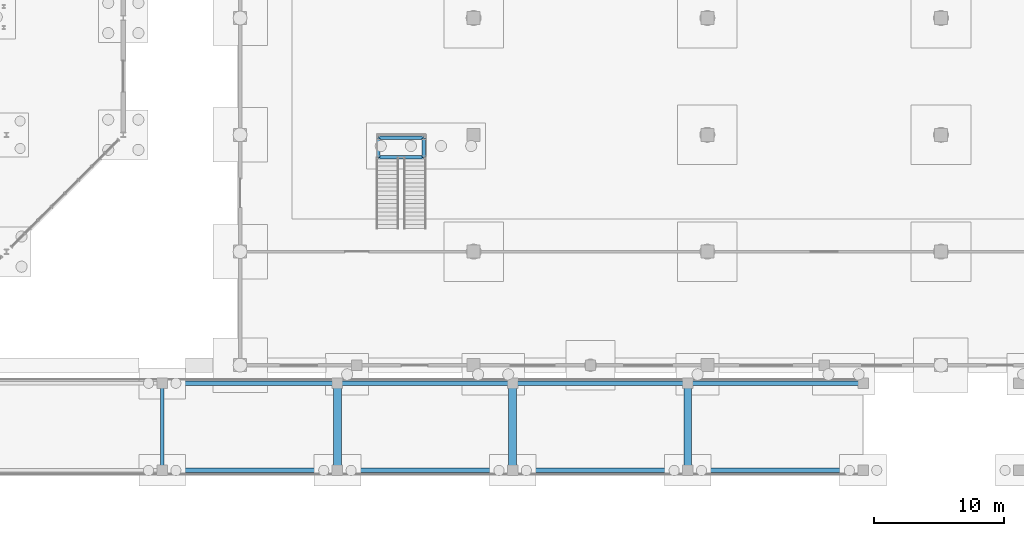
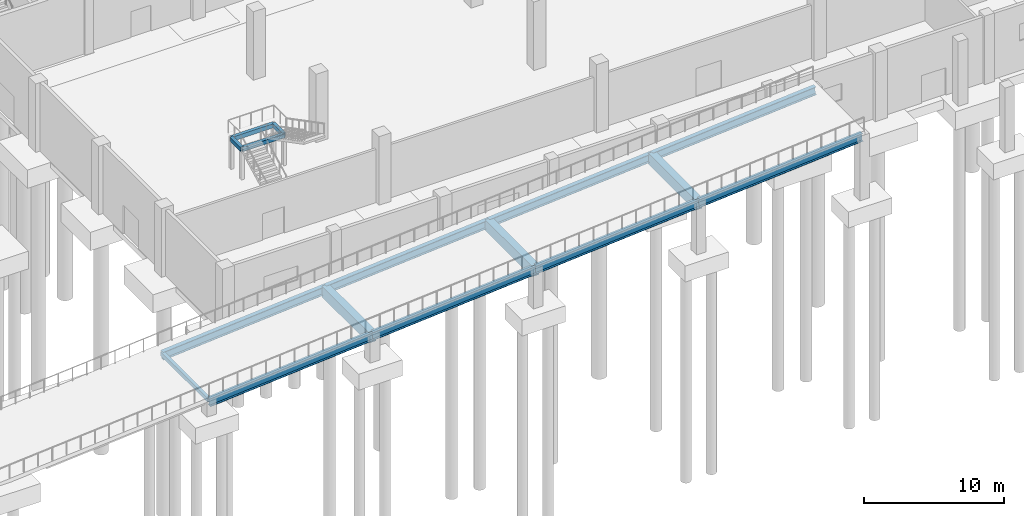
# One storey, part 43 of 131: 16 beams.
"""IFC4 building model written with IfcOpenShell, lengths in metres."""

from ifc_helpers import new_model, si_unit, direction, frame, origin, origin_2d, place, context, subcontext, project, spatial, rectangle, hollow_rectangle, i_section, extrude, material, material_profile, profile_set, type_object, element, save


model = new_model("IFC4")

# Units and contexts
model_context = context("Model", 3, precision=1e-05, world=origin(), true_north=direction((0.0, 1.0)))
body_context = subcontext(model_context, "Body", "Model", "MODEL_VIEW")
ifc_project = project(units=[si_unit("LENGTHUNIT", "METRE"), si_unit("AREAUNIT", "SQUARE_METRE"), si_unit("VOLUMEUNIT", "CUBIC_METRE"), si_unit("PLANEANGLEUNIT", "RADIAN"), si_unit("MASSUNIT", "GRAM", prefix="KILO")], contexts=[model_context])

# Site, building, storey
site_placement = place(None, origin())
site = spatial("IfcSite", under=ifc_project, at=site_placement, CompositionType="ELEMENT")
building_placement = place(site_placement, origin())
building = spatial("IfcBuilding", under=site, at=building_placement, Name="Cazmaro Siding Exhibition Halls", CompositionType="ELEMENT")
storey_placement = place(building_placement, origin())
storey = spatial("IfcBuildingStorey", under=building, at=storey_placement, Name="L00", CompositionType="ELEMENT", Elevation=0.0)

# Beams
ifc_material_1 = material(Name="Steel ASTM A500 Grade C", Category="steel")
ifc_material_profile_1 = material_profile(ifc_material_1, hollow_rectangle(XDim=0.25390625, YDim=0.35595703125, WallThickness=0.014892578125, at=origin_2d()), Name="HSS14X10X5/8")
ifc_profile_set_1 = profile_set([ifc_material_profile_1], Name="Steel ASTM A500 Grade C")
beam_type_1 = type_object("IfcBeamType", Name="B-06", PredefinedType="BEAM", material=ifc_profile_set_1)
beam_placement = place(storey_placement, frame((66.0, 1.14990234375, 1.14599609375), z_axis=(0.0, 1.0, 0.0), x_axis=(-1.0, 0.0, 0.0)))
element("IfcBeam", 1, at=beam_placement, inside=storey, type_object=beam_type_1, Name="Truck viaduct pier cap beam B-06 BM-2434", PredefinedType="BEAM", context=body_context, shape_type="SweptSolid", body=[
    extrude(hollow_rectangle(XDim=0.25390625, YDim=0.35595703125, WallThickness=0.014892578125, at=origin_2d()), origin(), (0.0, 0.0, 1.0), 6.7001953125),
])
for number, where, z_axis, x_axis, name in (
    (2, (82.64990234375, 25.27001953125, 2.6220703125), (1.0, 0.0, 0.0), (0.0, 1.0, 0.0), "Beam B-06 BM-2498"),
    (3, (82.64990234375, 26.77001953125, 2.6220703125), (1.0, 0.0, 0.0), (0.0, 1.0, 0.0), "Beam B-06 BM-2499"),
):
    element("IfcBeam", number, at=place(storey_placement, frame(where, z_axis=z_axis, x_axis=x_axis)), inside=storey, type_object=beam_type_1, Name=name, PredefinedType="BEAM", context=body_context, shape_type="SweptSolid", body=[
        extrude(hollow_rectangle(XDim=0.25390625, YDim=0.35595703125, WallThickness=0.014892578125, at=origin_2d()), origin(), (0.0, 0.0, 1.0), 3.5),
    ])
for number, where, z_axis, x_axis, name in (
    (4, (82.64990234375, 25.27001953125, 2.6220703125), (0.0, 1.0, 0.0), (-1.0, 0.0, 0.0), "Beam B-06 BM-2500"),
    (5, (86.14990234375, 25.27001953125, 2.6220703125), (0.0, 1.0, 0.0), (-1.0, 0.0, 0.0), "Beam B-06 BM-2501"),
):
    element("IfcBeam", number, at=place(storey_placement, frame(where, z_axis=z_axis, x_axis=x_axis)), inside=storey, type_object=beam_type_1, Name=name, PredefinedType="BEAM", context=body_context, shape_type="SweptSolid", body=[
        extrude(hollow_rectangle(XDim=0.25390625, YDim=0.35595703125, WallThickness=0.014892578125, at=origin_2d()), origin(), (0.0, 0.0, 1.0), 1.5),
    ])
ifc_material_2 = material(Name="Steel ASTM A992 Grade 50", Category="steel")
ifc_material_profile_2 = material_profile(ifc_material_2, i_section(OverallWidth=0.35791015625, OverallDepth=0.7060546875, WebThickness=0.01806640625, FlangeThickness=0.030029296875, at=origin_2d()), Name="W27X178")
ifc_profile_set_2 = profile_set([ifc_material_profile_2], Name="Steel ASTM A992 Grade 50")
beam_type_2 = type_object("IfcBeamType", Name="G-10", PredefinedType="USERDEFINED", material=ifc_profile_set_2)
for number, where, z_axis, x_axis, name in (
    (6, (66.0, 1.14990234375, 0.970947265625), (0.996814819966, 0.0, 0.079750954202), (0.0, 1.0, 0.0), "Truck viaduct sloped stringer girder G-10 BM-2442"),
    (7, (66.0, 7.85009765625, 0.970947265625), (0.996814819966, 0.0, 0.079750954202), (0.0, 1.0, 0.0), "Truck viaduct sloped stringer girder G-10 BM-2443"),
    (8, (79.5, 1.14990234375, 2.051025390625), (0.996814819966, 0.0, 0.079750954202), (0.0, 1.0, 0.0), "Truck viaduct sloped stringer girder G-10 BM-2444"),
    (9, (79.5, 7.85009765625, 2.051025390625), (0.996814819966, 0.0, 0.079750954202), (0.0, 1.0, 0.0), "Truck viaduct sloped stringer girder G-10 BM-2445"),
    (10, (93.0, 1.14990234375, 3.131103515625), (0.99681625289, 0.0, 0.079733041929), (0.0, 1.0, 0.0), "Truck viaduct sloped stringer girder G-10 BM-2446"),
    (11, (93.0, 7.85009765625, 3.131103515625), (0.99681625289, 0.0, 0.079733041929), (0.0, 1.0, 0.0), "Truck viaduct sloped stringer girder G-10 BM-2447"),
    (12, (106.5, 1.14990234375, 4.2109375), (0.996814819966, 0.0, 0.079750954202), (0.0, 1.0, 0.0), "Truck viaduct sloped stringer girder G-10 BM-2448"),
    (13, (106.5, 7.85009765625, 4.2109375), (0.996814819966, 0.0, 0.079750954202), (0.0, 1.0, 0.0), "Truck viaduct sloped stringer girder G-10 BM-2449"),
):
    element("IfcBeam", number, at=place(storey_placement, frame(where, z_axis=z_axis, x_axis=x_axis)), inside=storey, type_object=beam_type_2, Name=name, ObjectType="GIRDER", PredefinedType="USERDEFINED", context=body_context, shape_type="SweptSolid", body=[
        extrude(i_section(OverallWidth=0.35791015625, OverallDepth=0.7060546875, WebThickness=0.01806640625, FlangeThickness=0.030029296875, at=origin_2d()), origin(), (0.0, 0.0, 1.0), 13.543212890625),
    ])
ifc_material_3 = material(Name="Concrete f'c 45 MPa", Category="concrete")
ifc_material_profile_3 = material_profile(ifc_material_3, rectangle(XDim=0.60009765625, YDim=0.949951171875, at=origin_2d()), Name="RC950X600")
ifc_profile_set_3 = profile_set([ifc_material_profile_3], Name="Concrete f'c 45 MPa")
beam_type_3 = type_object("IfcBeamType", Name="G-11", PredefinedType="USERDEFINED", material=ifc_profile_set_3)
for number, where, z_axis, x_axis, name in (
    (14, (79.5, 1.14990234375, 1.928955078125), (0.0, 1.0, 0.0), (-1.0, 0.0, 0.0), "Truck viaduct pier cap beam G-11 BM-2435"),
    (15, (93.0, 1.14990234375, 3.009033203125), (0.0, 1.0, 0.0), (-1.0, 0.0, 0.0), "Truck viaduct pier cap beam G-11 BM-2436"),
    (16, (106.5, 1.14990234375, 4.089111328125), (0.0, 1.0, 0.0), (-1.0, 0.0, 0.0), "Truck viaduct pier cap beam G-11 BM-2437"),
):
    element("IfcBeam", number, at=place(storey_placement, frame(where, z_axis=z_axis, x_axis=x_axis)), inside=storey, type_object=beam_type_3, Name=name, ObjectType="GIRDER", PredefinedType="USERDEFINED", context=body_context, shape_type="SweptSolid", body=[
        extrude(rectangle(XDim=0.60009765625, YDim=0.949951171875, at=origin_2d()), origin(), (0.0, 0.0, 1.0), 6.7001953125),
    ])

save(model, "model.ifc")
